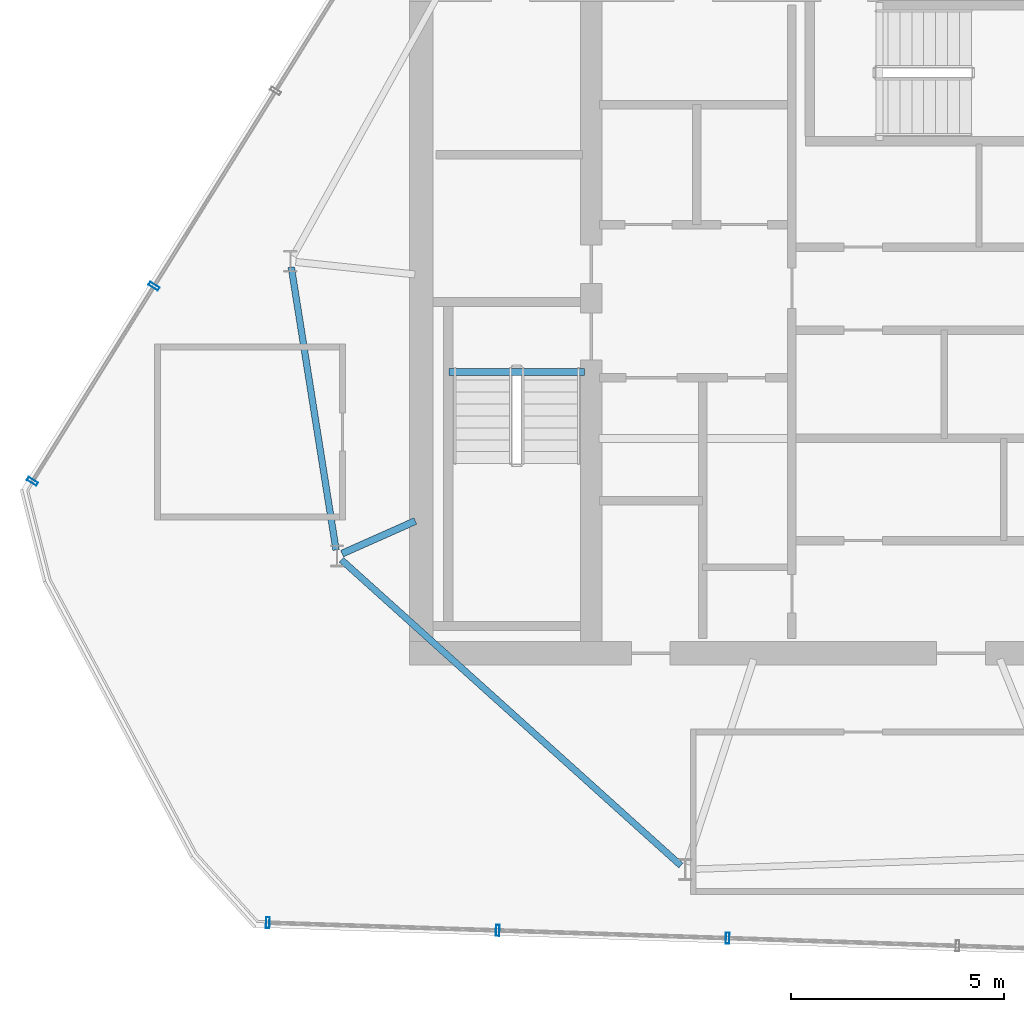
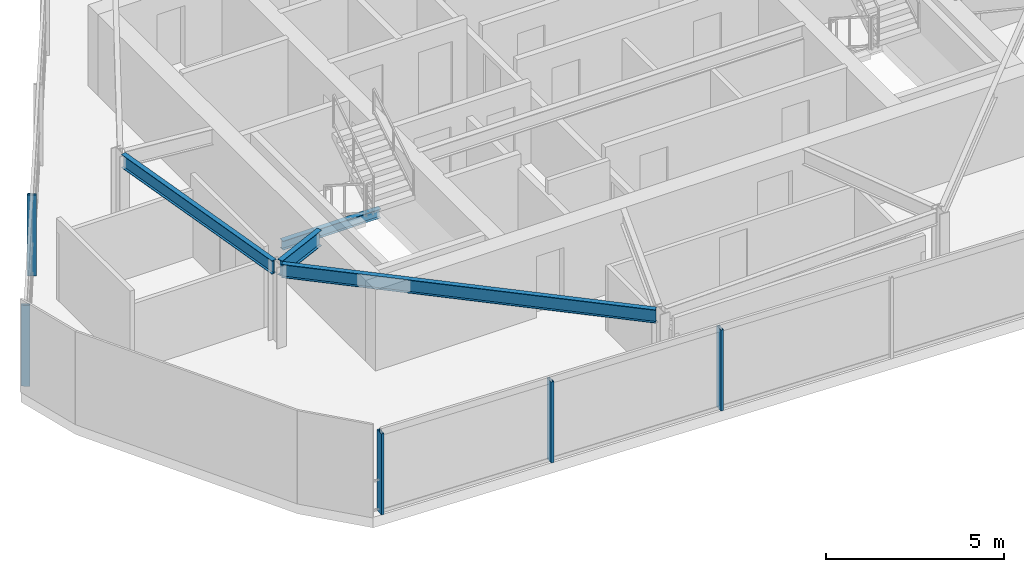
# One storey, part 2 of 16: 5 members, 4 beams, 2 elements without a shape of their own.
"""IFC4 building model written with IfcOpenShell, lengths in metres."""

from ifc_helpers import new_model, si_unit, direction, frame, origin, origin_2d, place, context, subcontext, project, spatial, hollow_rectangle, i_section, extrude, material, layer, layer_set, material_profile, profile_set, type_object, element, aggregate, save


model = new_model("IFC4")

# Units and contexts
model_context = context("Model", 3, precision=1e-05, world=origin(), true_north=direction((0.0, 1.0)))
body_context = subcontext(model_context, "Body", "Model", "MODEL_VIEW")
ifc_project = project(units=[si_unit("LENGTHUNIT", "METRE"), si_unit("AREAUNIT", "SQUARE_METRE"), si_unit("VOLUMEUNIT", "CUBIC_METRE"), si_unit("PLANEANGLEUNIT", "RADIAN"), si_unit("MASSUNIT", "GRAM", prefix="KILO")], contexts=[model_context])

# Site, building, storey
site_placement = place(None, origin())
site = spatial("IfcSite", under=ifc_project, at=site_placement, CompositionType="ELEMENT")
building_placement = place(site_placement, origin())
building = spatial("IfcBuilding", under=site, at=building_placement, Name="Qarnah Convention Tower", CompositionType="ELEMENT")
storey_placement = place(building_placement, frame((0.0, 0.0, 286.699951171875)))
storey = spatial("IfcBuildingStorey", under=building, at=storey_placement, Name="L77", CompositionType="ELEMENT", Elevation=286.699951171875)

# Beams
ifc_material_1 = material(Name="Structural steel S355JR", Category="steel")
ifc_material_profile_1 = material_profile(ifc_material_1, i_section(OverallWidth=0.166015625, OverallDepth=0.31201171875, WebThickness=0.007080078125, FlangeThickness=0.010986328125, at=origin_2d()), Name="W310X45")
ifc_profile_set_1 = profile_set([ifc_material_profile_1], Name="Structural steel S355JR")
beam_type_1 = type_object("IfcBeamType", Name="BM-JST-W310", PredefinedType="JOIST", material=ifc_profile_set_1)
beam_1_placement = place(storey_placement, frame((27.4599609375, 25.217041015625, -0.156005859375), z_axis=(1.0, 0.0, 0.0), x_axis=(0.0, 1.0, 0.0)))
element("IfcBeam", 1, at=beam_1_placement, inside=storey, type_object=beam_type_1, Name="L77 stair landing trimmer beam BM-L77-ST1-TRM", PredefinedType="BEAM", context=body_context, shape_type="SweptSolid", body=[
    extrude(i_section(OverallWidth=0.166015625, OverallDepth=0.31201171875, WebThickness=0.007080078125, FlangeThickness=0.010986328125, at=origin_2d()), origin(), (0.0, 0.0, 1.0), 3.179931640625),
])
ifc_material_profile_2 = material_profile(ifc_material_1, i_section(OverallWidth=0.166015625, OverallDepth=0.535888671875, WebThickness=0.010009765625, FlangeThickness=0.01708984375, at=origin_2d()), Name="W530X85")
ifc_profile_set_2 = profile_set([ifc_material_profile_2], Name="Structural steel S355JR")
beam_type_2 = type_object("IfcBeamType", Name="BM-RAD-W530B", PredefinedType="BEAM", material=ifc_profile_set_2)
beam_2_placement = place(storey_placement, frame((26.6630859375, 21.708984375, 2.511962890625), z_axis=(-0.913565851785, -0.406690833991, 0.0), x_axis=(0.406690833991, -0.913565851785, 0.0)))
element("IfcBeam", 2, at=beam_2_placement, inside=storey, type_object=beam_type_2, Name="L77 beam BM-L77-RAD-06", PredefinedType="BEAM", context=body_context, shape_type="SweptSolid", body=[
    extrude(i_section(OverallWidth=0.166015625, OverallDepth=0.535888671875, WebThickness=0.010009765625, FlangeThickness=0.01708984375, at=origin_2d()), origin(), (0.0, 0.0, 1.0), 1.88623046875),
])
ifc_material_profile_3 = material_profile(ifc_material_1, i_section(OverallWidth=0.154052734375, OverallDepth=0.4599609375, WebThickness=0.009033203125, FlangeThickness=0.014892578125, at=origin_2d()), Name="W460X68")
ifc_profile_set_3 = profile_set([ifc_material_profile_3], Name="Structural steel S355JR")
beam_type_3 = type_object("IfcBeamType", Name="BM-SPN-W460B", PredefinedType="SPANDREL", material=ifc_profile_set_3)
beam_3_placement = place(storey_placement, frame((23.74609375, 27.677978515625, 2.550048828125), z_axis=(0.156374021529, -0.987697912011, 0.0), x_axis=(0.987697912011, 0.156374021529, 0.0)))
element("IfcBeam", 3, at=beam_3_placement, inside=storey, type_object=beam_type_3, Name="L77 spandrel BM-L77-SPN-05", PredefinedType="SPANDREL", context=body_context, shape_type="SweptSolid", body=[
    extrude(i_section(OverallWidth=0.154052734375, OverallDepth=0.4599609375, WebThickness=0.009033203125, FlangeThickness=0.014892578125, at=origin_2d()), origin(), (0.0, 0.0, 1.0), 6.733642578125),
])
beam_4_placement = place(storey_placement, frame((24.925048828125, 20.794921875, 2.550048828125), z_axis=(0.743178874011, -0.669092789696, 0.0), x_axis=(0.669092789696, 0.743178874011, 0.0)))
element("IfcBeam", 4, at=beam_4_placement, inside=storey, type_object=beam_type_3, Name="L77 spandrel BM-L77-SPN-06", PredefinedType="SPANDREL", context=body_context, shape_type="SweptSolid", body=[
    extrude(i_section(OverallWidth=0.154052734375, OverallDepth=0.4599609375, WebThickness=0.009033203125, FlangeThickness=0.014892578125, at=origin_2d()), origin(), (0.0, 0.0, 1.0), 10.742919921875),
])

# Curtain wall, members
ifc_material_2 = material(Name="Tempered Low-E dark glass", Category="glass")
ifc_layer = layer(ifc_material_2, 0.177978515625)
ifc_layer_set = layer_set([ifc_layer], Name="Tempered Low-E dark glass")
curtain_wall_type = type_object("IfcCurtainWallType", Name="CWS-06", PredefinedType="NOTDEFINED", material=ifc_layer_set)
curtain_wall_1_placement = place(storey_placement, origin())
curtain_wall_1 = element("IfcCurtainWall", 5, at=curtain_wall_1_placement, inside=storey, type_object=curtain_wall_type, Name="L77 unitised curtain wall CW-L77-F2", PredefinedType="NOTDEFINED")
ifc_material_3 = material(Name="Black anodised aluminium", Category="aluminium")
ifc_material_profile_4 = material_profile(ifc_material_3, hollow_rectangle(XDim=0.0849609375, YDim=0.260009765625, WallThickness=0.006103515625, at=origin_2d()), Name="MUL-85X260")
ifc_profile_set_4 = profile_set([ifc_material_profile_4], Name="Black anodised aluminium")
member_type = type_object("IfcMemberType", Name="MUL-T6", PredefinedType="MULLION", material=ifc_profile_set_4)
member_1_placement = place(storey_placement, frame((34.007568359375, 11.898681640625, 0.0), z_axis=(0.0, 0.0, 1.0), x_axis=(-0.999438900358, 0.033494543595, 0.0)))
member_1 = element("IfcMember", 6, at=member_1_placement, type_object=member_type, Name="CW-L77-F2 mullion 4", PredefinedType="MULLION", context=body_context, shape_type="SweptSolid", body=[
    extrude(hollow_rectangle(XDim=0.0849609375, YDim=0.260009765625, WallThickness=0.006103515625, at=origin_2d()), origin(), (0.0, 0.0, 1.0), 2.780029296875),
])
member_2_placement = place(storey_placement, frame((28.600830078125, 12.079833984375, 0.0), z_axis=(0.0, 0.0, 1.0), x_axis=(-0.999438900358, 0.033494543595, 0.0)))
member_2 = element("IfcMember", 7, at=member_2_placement, type_object=member_type, Name="CW-L77-F2 mullion 5", PredefinedType="MULLION", context=body_context, shape_type="SweptSolid", body=[
    extrude(hollow_rectangle(XDim=0.0849609375, YDim=0.260009765625, WallThickness=0.006103515625, at=origin_2d()), origin(), (0.0, 0.0, 1.0), 2.780029296875),
])
member_3_placement = place(storey_placement, frame((23.194091796875, 12.260986328125, 0.0), z_axis=(0.0, 0.0, 1.0), x_axis=(-0.999438900358, 0.033494543595, 0.0)))
member_3 = element("IfcMember", 8, at=member_3_placement, type_object=member_type, Name="CW-L77-F2 mullion 6", PredefinedType="MULLION", context=body_context, shape_type="SweptSolid", body=[
    extrude(hollow_rectangle(XDim=0.0849609375, YDim=0.260009765625, WallThickness=0.006103515625, at=origin_2d()), origin(), (0.0, 0.0, 1.0), 2.780029296875),
])
aggregate(curtain_wall_1, [member_1, member_2, member_3])

curtain_wall_2_placement = place(storey_placement, origin())
curtain_wall_2 = element("IfcCurtainWall", 9, at=curtain_wall_2_placement, inside=storey, type_object=curtain_wall_type, Name="L77 unitised curtain wall CW-L77-F3", PredefinedType="NOTDEFINED")
member_4_placement = place(storey_placement, frame((17.656005859375, 22.639892578125, 0.0), z_axis=(0.0, 0.0, 1.0), x_axis=(0.528738901195, 0.848784527641, 0.0)))
member_4 = element("IfcMember", 10, at=member_4_placement, type_object=member_type, Name="CW-L77-F3 mullion 1", PredefinedType="MULLION", context=body_context, shape_type="SweptSolid", body=[
    extrude(hollow_rectangle(XDim=0.0849609375, YDim=0.260009765625, WallThickness=0.006103515625, at=origin_2d()), origin(), (0.0, 0.0, 1.0), 2.780029296875),
])
member_5_placement = place(storey_placement, frame((20.516357421875, 27.231689453125, 0.0), z_axis=(0.0, 0.0, 1.0), x_axis=(0.528738901195, 0.848784527641, 0.0)))
member_5 = element("IfcMember", 11, at=member_5_placement, type_object=member_type, Name="CW-L77-F3 mullion 2", PredefinedType="MULLION", context=body_context, shape_type="SweptSolid", body=[
    extrude(hollow_rectangle(XDim=0.0849609375, YDim=0.260009765625, WallThickness=0.006103515625, at=origin_2d()), origin(), (0.0, 0.0, 1.0), 2.780029296875),
])
aggregate(curtain_wall_2, [member_4, member_5])

save(model, "model.ifc")
